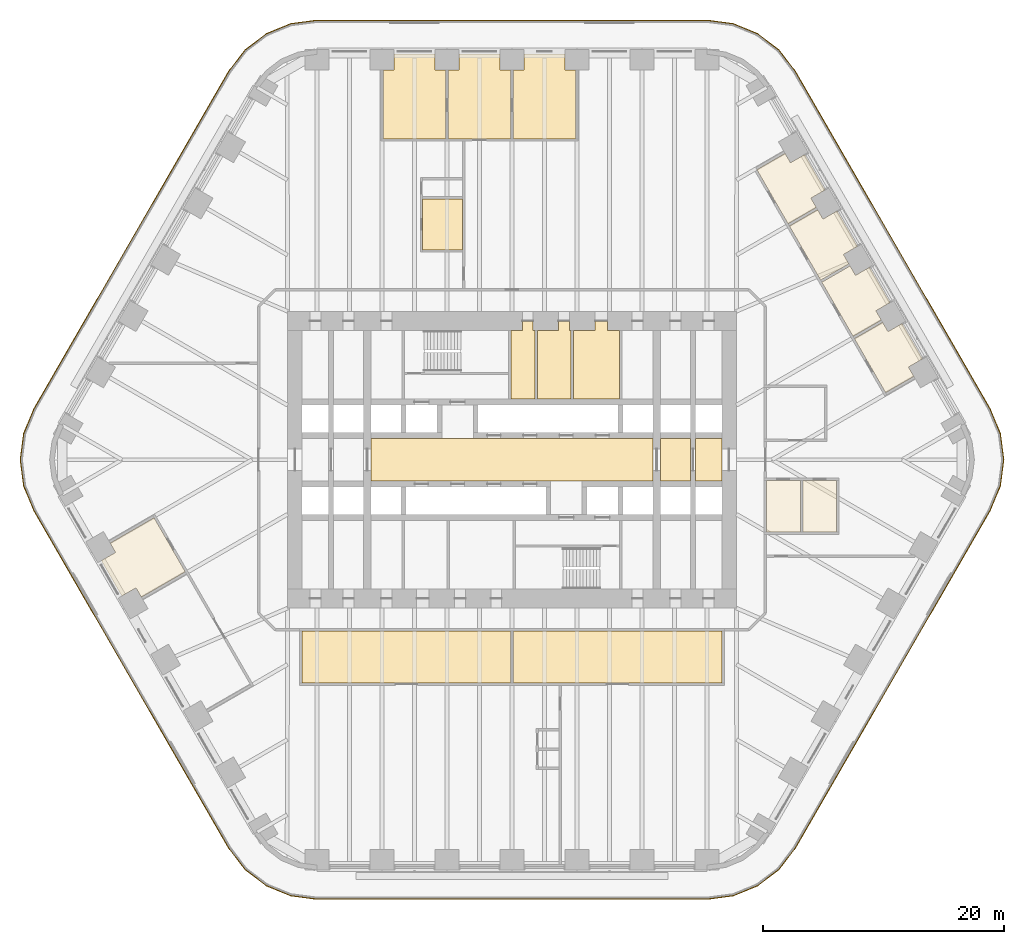
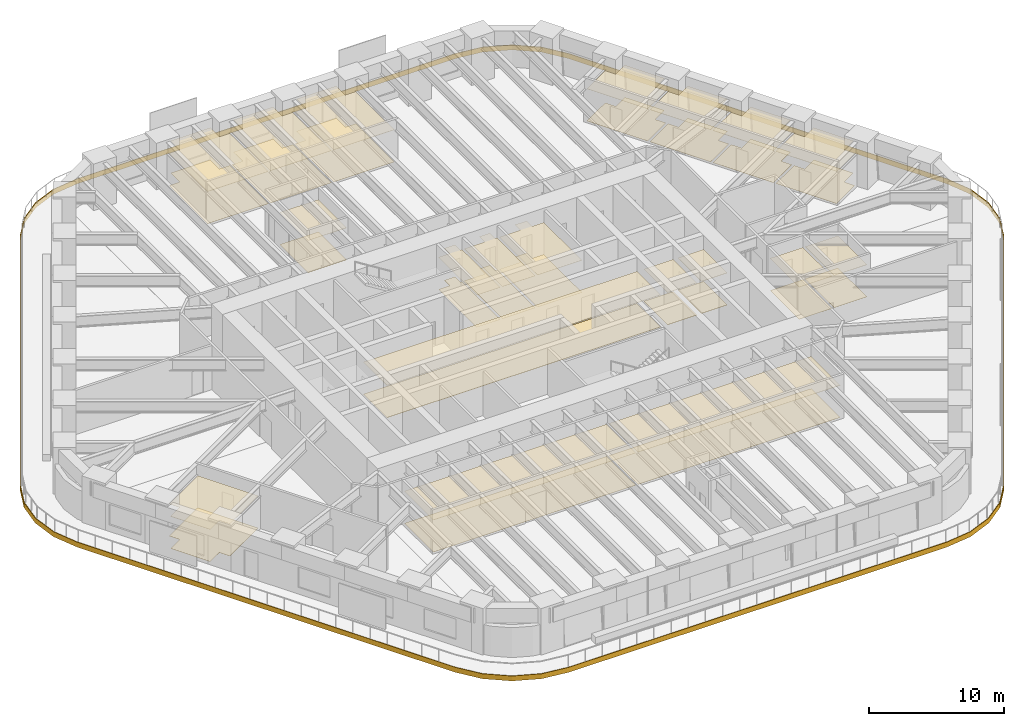
# One storey, part 23 of 24: 15 coverings.
"""IFC4 building model written with IfcOpenShell, lengths in metres."""

from ifc_helpers import new_model, si_unit, direction, frame, origin, place, context, subcontext, project, spatial, polyline, outline, extrude, material, layer, layer_set, type_object, element, save


model = new_model("IFC4")

# Units and contexts
model_context = context("Model", 3, precision=1e-05, world=origin(), true_north=direction((0.0, 1.0)))
body_context = subcontext(model_context, "Body", "Model", "MODEL_VIEW")
ifc_project = project(units=[si_unit("LENGTHUNIT", "METRE"), si_unit("AREAUNIT", "SQUARE_METRE"), si_unit("VOLUMEUNIT", "CUBIC_METRE"), si_unit("PLANEANGLEUNIT", "RADIAN"), si_unit("MASSUNIT", "GRAM", prefix="KILO")], contexts=[model_context])

# Site, building, storey
site_placement = place(None, origin())
site = spatial("IfcSite", under=ifc_project, at=site_placement, CompositionType="ELEMENT")
building_placement = place(site_placement, origin())
building = spatial("IfcBuilding", under=site, at=building_placement, Name="Tarfa Lantern Tower", CompositionType="ELEMENT")
storey_placement = place(building_placement, frame((0.0, 0.0, 65.5)))
storey = spatial("IfcBuildingStorey", under=building, at=storey_placement, Name="L14", CompositionType="ELEMENT", Elevation=65.5)

# Coverings
ifc_material_1 = material(Name="Mineral fibre acoustic tile on suspension grid", Category="finish")
ifc_layer_1 = layer(ifc_material_1, 0.02001953125)
ifc_layer_set_1 = layer_set([ifc_layer_1], Name="CL1 ACOUSTIC TILE CEILING 20")
covering_type_1 = type_object("IfcCoveringType", Name="CL1 ACOUSTIC TILE CEILING 20", PredefinedType="CEILING", material=ifc_layer_set_1)
covering_1_placement = place(storey_placement, frame((0.0, 0.0, 2.89990234375)))
element("IfcCovering", 1, at=covering_1_placement, inside=storey, type_object=covering_type_1, Name="Ceiling L14 CL1", PredefinedType="CEILING", context=body_context, shape_type="SweptSolid", body=[
    extrude(outline(polyline([(0.10009765625, -14.199951171875), (17.39990234375, -14.199951171875), (17.39990234375, -18.5), (0.10009765625, -18.5), (0.10009765625, -14.199951171875)])), origin(), (0.0, 0.0, 1.0), 0.02001953125),
    extrude(outline(polyline([(-17.39990234375, -14.199951171875), (-0.10009765625, -14.199951171875), (-0.10009765625, -18.5), (-17.39990234375, -18.5), (-17.39990234375, -14.199951171875)])), origin(), (0.0, 0.0, 1.0), 0.02001953125),
    extrude(outline(polyline([(5.28857421875, 26.60009765625), (0.10009765625, 26.60009765625), (0.10009765625, 32.300048828125), (1.0, 32.300048828125), (1.0, 33.64990234375), (4.388671875, 33.64990234375), (4.388671875, 32.300048828125), (5.28857421875, 32.300048828125), (5.28857421875, 26.60009765625)])), origin(), (0.0, 0.0, 1.0), 0.02001953125),
    extrude(outline(polyline([(-0.10009765625, 26.60009765625), (-5.28857421875, 26.60009765625), (-5.28857421875, 32.300048828125), (-4.388671875, 32.300048828125), (-4.388671875, 33.64990234375), (-1.0, 33.64990234375), (-1.0, 32.300048828125), (-0.10009765625, 32.300048828125), (-0.10009765625, 26.60009765625)])), origin(), (0.0, 0.0, 1.0), 0.02001953125),
    extrude(outline(polyline([(-5.488525390625, 26.60009765625), (-10.67724609375, 26.60009765625), (-10.67724609375, 32.300048828125), (-9.777099609375, 32.300048828125), (-9.777099609375, 33.64990234375), (-6.388671875, 33.64990234375), (-6.388671875, 32.300048828125), (-5.488525390625, 32.300048828125), (-5.488525390625, 26.60009765625)])), origin(), (0.0, 0.0, 1.0), 0.02001953125),
    extrude(outline(polyline([(28.378662109375, 10.046630859375), (30.717041015625, 11.396728515625), (31.1669921875, 10.6171875), (32.3359375, 11.292236328125), (34.0302734375, 8.357666015625), (32.861328125, 7.6826171875), (33.311279296875, 6.9033203125), (30.972900390625, 5.55322265625), (28.378662109375, 10.046630859375)])), origin(), (0.0, 0.0, 1.0), 0.02001953125),
    extrude(outline(polyline([(25.684326171875, 14.71337890625), (28.022705078125, 16.0634765625), (28.47265625, 15.283935546875), (29.641845703125, 15.958984375), (31.3359375, 13.0244140625), (30.1669921875, 12.349365234375), (30.616943359375, 11.56982421875), (28.278564453125, 10.219970703125), (25.684326171875, 14.71337890625)])), origin(), (0.0, 0.0, 1.0), 0.02001953125),
    extrude(outline(polyline([(22.989990234375, 19.380126953125), (25.328369140625, 20.72998046875), (25.7783203125, 19.95068359375), (26.947509765625, 20.625732421875), (28.641845703125, 17.69091796875), (27.47265625, 17.01611328125), (27.922607421875, 16.236572265625), (25.58447265625, 14.88671875), (22.989990234375, 19.380126953125)])), origin(), (0.0, 0.0, 1.0), 0.02001953125),
    extrude(outline(polyline([(20.295654296875, 24.046630859375), (22.634033203125, 25.396728515625), (23.083984375, 24.6171875), (24.253173828125, 25.292236328125), (25.947509765625, 22.357666015625), (24.7783203125, 21.6826171875), (25.228271484375, 20.9033203125), (22.89013671875, 19.55322265625), (20.295654296875, 24.046630859375)])), origin(), (0.0, 0.0, 1.0), 0.02001953125),
    extrude(outline(polyline([(-27.07958984375, -9.296630859375), (-30.717041015625, -11.396728515625), (-31.1669921875, -10.6171875), (-32.3359375, -11.292236328125), (-34.0302734375, -8.357666015625), (-32.861328125, -7.6826171875), (-33.311279296875, -6.9033203125), (-29.673828125, -4.80322265625), (-27.07958984375, -9.296630859375)])), origin(), (0.0, 0.0, 1.0), 0.02001953125),
    extrude(outline(polyline([(21.10009765625, -1.699951171875), (23.89990234375, -1.699951171875), (23.89990234375, -6.0), (21.10009765625, -6.0), (21.10009765625, -1.699951171875)])), origin(), (0.0, 0.0, 1.0), 0.02001953125),
    extrude(outline(polyline([(24.10009765625, -1.699951171875), (26.89990234375, -1.699951171875), (26.89990234375, -6.0), (24.10009765625, -6.0), (24.10009765625, -1.699951171875)])), origin(), (0.0, 0.0, 1.0), 0.02001953125),
    extrude(outline(polyline([(-7.39990234375, 21.60009765625), (-4.10009765625, 21.60009765625), (-4.10009765625, 17.39990234375), (-7.39990234375, 17.39990234375), (-7.39990234375, 21.60009765625)])), origin(), (0.0, 0.0, 1.0), 0.02001953125),
])
ifc_material_2 = material(Name="Moisture-resistant plasterboard", Category="finish")
ifc_layer_2 = layer(ifc_material_2, 0.014892578125)
ifc_layer_set_2 = layer_set([ifc_layer_2], Name="CL2 MOISTURE-RESISTANT PLASTERBOARD CEILING 15")
covering_type_2 = type_object("IfcCoveringType", Name="CL2 MOISTURE-RESISTANT PLASTERBOARD CEILING 15", PredefinedType="CEILING", material=ifc_layer_set_2)
covering_2_placement = place(storey_placement, frame((0.0, 0.0, 2.89990234375)))
element("IfcCovering", 2, at=covering_2_placement, inside=storey, type_object=covering_type_2, Name="Ceiling L14-09", PredefinedType="CEILING", context=body_context, shape_type="SweptSolid", body=[
    extrude(outline(polyline([(0.85009765625, 10.699951171875), (-0.10009765625, 10.699951171875), (-0.10009765625, 5.050048828125), (1.89990234375, 5.050048828125), (1.89990234375, 10.699951171875), (1.75, 10.699951171875), (1.75, 11.5), (1.75, 11.5), (0.85009765625, 11.5), (0.85009765625, 10.699951171875)])), origin(), (0.0, 0.0, 1.0), 0.01513671875),
])
covering_3_placement = place(storey_placement, frame((0.0, 0.0, 2.89990234375)))
element("IfcCovering", 3, at=covering_3_placement, inside=storey, type_object=covering_type_2, Name="Ceiling L14-10", PredefinedType="CEILING", context=body_context, shape_type="SweptSolid", body=[
    extrude(outline(polyline([(2.10009765625, 5.050048828125), (4.89990234375, 5.050048828125), (4.89990234375, 10.699951171875), (4.75, 10.699951171875), (4.75, 11.5), (3.85009765625, 11.5), (3.85009765625, 10.699951171875), (2.10009765625, 10.699951171875), (2.10009765625, 5.050048828125)])), origin(), (0.0, 0.0, 1.0), 0.01513671875),
])
covering_4_placement = place(storey_placement, frame((0.0, 0.0, 2.89990234375)))
element("IfcCovering", 4, at=covering_4_placement, inside=storey, type_object=covering_type_2, Name="Ceiling L14-11", PredefinedType="CEILING", context=body_context, shape_type="SweptSolid", body=[
    extrude(outline(polyline([(5.10009765625, 5.050048828125), (8.89990234375, 5.050048828125), (8.89990234375, 10.699951171875), (7.89990234375, 10.699951171875), (7.89990234375, 11.5), (6.89990234375, 11.5), (6.89990234375, 10.699951171875), (5.10009765625, 10.699951171875), (5.10009765625, 5.050048828125)])), origin(), (0.0, 0.0, 1.0), 0.01513671875),
])
ifc_material_3 = material(Name="Powder-coated aluminium panel", Category="aluminium")
ifc_layer_3 = layer(ifc_material_3, 0.030029296875)
ifc_layer_set_3 = layer_set([ifc_layer_3], Name="CL3 METAL PANEL CEILING 30")
covering_type_3 = type_object("IfcCoveringType", Name="CL3 METAL PANEL CEILING 30", PredefinedType="CEILING", material=ifc_layer_set_3)
covering_5_placement = place(storey_placement, frame((0.0, 0.0, 2.89990234375)))
element("IfcCovering", 5, at=covering_5_placement, inside=storey, type_object=covering_type_3, Name="Ceiling L14-03", PredefinedType="CEILING", context=body_context, shape_type="SweptSolid", body=[
    extrude(outline(polyline([(-11.699951171875, -1.75), (11.699951171875, -1.75), (11.699951171875, 1.75), (-11.699951171875, 1.75), (-11.699951171875, -1.75)])), origin(), (0.0, 0.0, 1.0), 0.030029296875),
])
covering_6_placement = place(storey_placement, frame((0.0, 0.0, 2.89990234375)))
element("IfcCovering", 6, at=covering_6_placement, inside=storey, type_object=covering_type_3, Name="Ceiling L14-04", PredefinedType="CEILING", context=body_context, shape_type="SweptSolid", body=[
    extrude(outline(polyline([(12.300048828125, -1.75), (14.800048828125, -1.75), (14.800048828125, 1.75), (12.300048828125, 1.75), (12.300048828125, -1.75)])), origin(), (0.0, 0.0, 1.0), 0.030029296875),
])
covering_7_placement = place(storey_placement, frame((0.0, 0.0, 2.89990234375)))
element("IfcCovering", 7, at=covering_7_placement, inside=storey, type_object=covering_type_3, Name="Ceiling L14-05", PredefinedType="CEILING", context=body_context, shape_type="SweptSolid", body=[
    extrude(outline(polyline([(15.199951171875, -1.75), (17.39990234375, -1.75), (17.39990234375, 1.75), (15.199951171875, 1.75), (15.199951171875, -1.75)])), origin(), (0.0, 0.0, 1.0), 0.030029296875),
])
ifc_material_4 = material(Name="Nylon carpet tile", Category="finish")
ifc_layer_4 = layer(ifc_material_4, 0.010009765625)
ifc_layer_set_4 = layer_set([ifc_layer_4], Name="FL1 CARPET TILE 10")
covering_type_4 = type_object("IfcCoveringType", Name="FL1 CARPET TILE 10", PredefinedType="FLOORING", material=ifc_layer_set_4)
covering_8_placement = place(storey_placement, origin())
element("IfcCovering", 8, at=covering_8_placement, inside=storey, type_object=covering_type_4, Name="Floor finish L14 FL1", PredefinedType="FLOORING", context=body_context, shape_type="SweptSolid", body=[
    extrude(outline(polyline([(0.10009765625, -14.199951171875), (17.39990234375, -14.199951171875), (17.39990234375, -18.5), (0.10009765625, -18.5), (0.10009765625, -14.199951171875)])), origin(), (0.0, 0.0, 1.0), 0.010009765625),
    extrude(outline(polyline([(-17.39990234375, -14.199951171875), (-0.10009765625, -14.199951171875), (-0.10009765625, -18.5), (-17.39990234375, -18.5), (-17.39990234375, -14.199951171875)])), origin(), (0.0, 0.0, 1.0), 0.010009765625),
    extrude(outline(polyline([(5.28857421875, 26.60009765625), (0.10009765625, 26.60009765625), (0.10009765625, 32.300048828125), (1.0, 32.300048828125), (1.0, 33.64990234375), (4.388671875, 33.64990234375), (4.388671875, 32.300048828125), (5.28857421875, 32.300048828125), (5.28857421875, 26.60009765625)])), origin(), (0.0, 0.0, 1.0), 0.010009765625),
    extrude(outline(polyline([(-0.10009765625, 26.60009765625), (-5.28857421875, 26.60009765625), (-5.28857421875, 32.300048828125), (-4.388671875, 32.300048828125), (-4.388671875, 33.64990234375), (-1.0, 33.64990234375), (-1.0, 32.300048828125), (-0.10009765625, 32.300048828125), (-0.10009765625, 26.60009765625)])), origin(), (0.0, 0.0, 1.0), 0.010009765625),
    extrude(outline(polyline([(-5.488525390625, 26.60009765625), (-10.67724609375, 26.60009765625), (-10.67724609375, 32.300048828125), (-9.777099609375, 32.300048828125), (-9.777099609375, 33.64990234375), (-6.388671875, 33.64990234375), (-6.388671875, 32.300048828125), (-5.488525390625, 32.300048828125), (-5.488525390625, 26.60009765625)])), origin(), (0.0, 0.0, 1.0), 0.010009765625),
    extrude(outline(polyline([(28.378662109375, 10.046630859375), (30.717041015625, 11.396728515625), (31.1669921875, 10.6171875), (32.3359375, 11.292236328125), (34.0302734375, 8.357666015625), (32.861328125, 7.6826171875), (33.311279296875, 6.9033203125), (30.972900390625, 5.55322265625), (28.378662109375, 10.046630859375)])), origin(), (0.0, 0.0, 1.0), 0.010009765625),
    extrude(outline(polyline([(25.684326171875, 14.71337890625), (28.022705078125, 16.0634765625), (28.47265625, 15.283935546875), (29.641845703125, 15.958984375), (31.3359375, 13.0244140625), (30.1669921875, 12.349365234375), (30.616943359375, 11.56982421875), (28.278564453125, 10.219970703125), (25.684326171875, 14.71337890625)])), origin(), (0.0, 0.0, 1.0), 0.010009765625),
    extrude(outline(polyline([(22.989990234375, 19.380126953125), (25.328369140625, 20.72998046875), (25.7783203125, 19.95068359375), (26.947509765625, 20.625732421875), (28.641845703125, 17.69091796875), (27.47265625, 17.01611328125), (27.922607421875, 16.236572265625), (25.58447265625, 14.88671875), (22.989990234375, 19.380126953125)])), origin(), (0.0, 0.0, 1.0), 0.010009765625),
    extrude(outline(polyline([(20.295654296875, 24.046630859375), (22.634033203125, 25.396728515625), (23.083984375, 24.6171875), (24.253173828125, 25.292236328125), (25.947509765625, 22.357666015625), (24.7783203125, 21.6826171875), (25.228271484375, 20.9033203125), (22.89013671875, 19.55322265625), (20.295654296875, 24.046630859375)])), origin(), (0.0, 0.0, 1.0), 0.010009765625),
    extrude(outline(polyline([(-27.07958984375, -9.296630859375), (-30.717041015625, -11.396728515625), (-31.1669921875, -10.6171875), (-32.3359375, -11.292236328125), (-34.0302734375, -8.357666015625), (-32.861328125, -7.6826171875), (-33.311279296875, -6.9033203125), (-29.673828125, -4.80322265625), (-27.07958984375, -9.296630859375)])), origin(), (0.0, 0.0, 1.0), 0.010009765625),
    extrude(outline(polyline([(21.10009765625, -1.699951171875), (23.89990234375, -1.699951171875), (23.89990234375, -6.0), (21.10009765625, -6.0), (21.10009765625, -1.699951171875)])), origin(), (0.0, 0.0, 1.0), 0.010009765625),
    extrude(outline(polyline([(24.10009765625, -1.699951171875), (26.89990234375, -1.699951171875), (26.89990234375, -6.0), (24.10009765625, -6.0), (24.10009765625, -1.699951171875)])), origin(), (0.0, 0.0, 1.0), 0.010009765625),
    extrude(outline(polyline([(-7.39990234375, 21.60009765625), (-4.10009765625, 21.60009765625), (-4.10009765625, 17.39990234375), (-7.39990234375, 17.39990234375), (-7.39990234375, 21.60009765625)])), origin(), (0.0, 0.0, 1.0), 0.010009765625),
])
ifc_material_5 = material(Name="Honed limestone flooring", Category="masonry")
ifc_layer_5 = layer(ifc_material_5, 0.030029296875)
ifc_layer_set_5 = layer_set([ifc_layer_5], Name="FL2 STONE FLOORING 30")
covering_type_5 = type_object("IfcCoveringType", Name="FL2 STONE FLOORING 30", PredefinedType="FLOORING", material=ifc_layer_set_5)
covering_9_placement = place(storey_placement, origin())
element("IfcCovering", 9, at=covering_9_placement, inside=storey, type_object=covering_type_5, Name="Floor finish L14-03", PredefinedType="FLOORING", context=body_context, shape_type="SweptSolid", body=[
    extrude(outline(polyline([(-11.699951171875, -1.75), (11.699951171875, -1.75), (11.699951171875, 1.75), (-11.699951171875, 1.75), (-11.699951171875, -1.75)])), origin(), (0.0, 0.0, 1.0), 0.030029296875),
])
covering_10_placement = place(storey_placement, origin())
element("IfcCovering", 10, at=covering_10_placement, inside=storey, type_object=covering_type_5, Name="Floor finish L14-04", PredefinedType="FLOORING", context=body_context, shape_type="SweptSolid", body=[
    extrude(outline(polyline([(12.300048828125, -1.75), (14.800048828125, -1.75), (14.800048828125, 1.75), (12.300048828125, 1.75), (12.300048828125, -1.75)])), origin(), (0.0, 0.0, 1.0), 0.030029296875),
])
covering_11_placement = place(storey_placement, origin())
element("IfcCovering", 11, at=covering_11_placement, inside=storey, type_object=covering_type_5, Name="Floor finish L14-05", PredefinedType="FLOORING", context=body_context, shape_type="SweptSolid", body=[
    extrude(outline(polyline([(15.199951171875, -1.75), (17.39990234375, -1.75), (17.39990234375, 1.75), (15.199951171875, 1.75), (15.199951171875, -1.75)])), origin(), (0.0, 0.0, 1.0), 0.030029296875),
])
ifc_material_6 = material(Name="Porcelain floor tile", Category="finish")
ifc_layer_6 = layer(ifc_material_6, 0.011962890625)
ifc_layer_set_6 = layer_set([ifc_layer_6], Name="FL3 CERAMIC TILE 12")
covering_type_6 = type_object("IfcCoveringType", Name="FL3 CERAMIC TILE 12", PredefinedType="FLOORING", material=ifc_layer_set_6)
covering_12_placement = place(storey_placement, origin())
element("IfcCovering", 12, at=covering_12_placement, inside=storey, type_object=covering_type_6, Name="Floor finish L14-09", PredefinedType="FLOORING", context=body_context, shape_type="SweptSolid", body=[
    extrude(outline(polyline([(0.85009765625, 10.699951171875), (-0.10009765625, 10.699951171875), (-0.10009765625, 5.050048828125), (1.89990234375, 5.050048828125), (1.89990234375, 10.699951171875), (1.75, 10.699951171875), (1.75, 11.5), (1.75, 11.5), (0.85009765625, 11.5), (0.85009765625, 10.699951171875)])), origin(), (0.0, 0.0, 1.0), 0.011962890625),
])
covering_13_placement = place(storey_placement, origin())
element("IfcCovering", 13, at=covering_13_placement, inside=storey, type_object=covering_type_6, Name="Floor finish L14-10", PredefinedType="FLOORING", context=body_context, shape_type="SweptSolid", body=[
    extrude(outline(polyline([(2.10009765625, 5.050048828125), (4.89990234375, 5.050048828125), (4.89990234375, 10.699951171875), (4.75, 10.699951171875), (4.75, 11.5), (3.85009765625, 11.5), (3.85009765625, 10.699951171875), (2.10009765625, 10.699951171875), (2.10009765625, 5.050048828125)])), origin(), (0.0, 0.0, 1.0), 0.011962890625),
])
covering_14_placement = place(storey_placement, origin())
element("IfcCovering", 14, at=covering_14_placement, inside=storey, type_object=covering_type_6, Name="Floor finish L14-11", PredefinedType="FLOORING", context=body_context, shape_type="SweptSolid", body=[
    extrude(outline(polyline([(5.10009765625, 5.050048828125), (8.89990234375, 5.050048828125), (8.89990234375, 10.699951171875), (7.89990234375, 10.699951171875), (7.89990234375, 11.5), (6.89990234375, 11.5), (6.89990234375, 10.699951171875), (5.10009765625, 10.699951171875), (5.10009765625, 5.050048828125)])), origin(), (0.0, 0.0, 1.0), 0.011962890625),
])
ifc_material_7 = material(Name="Limestone cladding on brackets", Category="masonry")
ifc_layer_7 = layer(ifc_material_7, 0.050048828125)
ifc_layer_set_7 = layer_set([ifc_layer_7], Name="SB1 STONE BAND CLADDING 50")
covering_type_7 = type_object("IfcCoveringType", Name="SB1 STONE BAND CLADDING 50", PredefinedType="CLADDING", material=ifc_layer_set_7)
covering_15_placement = place(storey_placement, frame((0.0, 0.0, -0.39990234375)))
element("IfcCovering", 15, at=covering_15_placement, inside=storey, type_object=covering_type_7, Name="Stone band", PredefinedType="CLADDING", context=body_context, shape_type="SweptSolid", body=[
    extrude(outline(polyline([(39.6494140625, 4.22509765625), (23.483642578125, 32.22509765625), (22.140869140625, 33.97509765625), (20.390869140625, 35.31787109375), (18.352783203125, 36.162109375), (16.165771484375, 36.449951171875), (-16.165771484375, 36.449951171875), (-18.352783203125, 36.162109375), (-20.390869140625, 35.31787109375), (-22.140869140625, 33.97509765625), (-23.483642578125, 32.22509765625), (-39.6494140625, 4.22509765625), (-40.49365234375, 2.18701171875), (-40.781494140625, 0.0), (-40.49365234375, -2.18701171875), (-39.6494140625, -4.22509765625), (-23.483642578125, -32.22509765625), (-22.140869140625, -33.97509765625), (-20.390869140625, -35.31787109375), (-18.352783203125, -36.162109375), (-16.165771484375, -36.449951171875), (16.165771484375, -36.449951171875), (18.352783203125, -36.162109375), (20.390869140625, -35.31787109375), (22.140869140625, -33.97509765625), (23.483642578125, -32.22509765625), (39.6494140625, -4.22509765625), (40.49365234375, -2.18701171875), (40.781494140625, 0.0), (40.49365234375, 2.18701171875), (39.6494140625, 4.22509765625)]), holes=[polyline([(39.606201171875, 4.199951171875), (23.4404296875, 32.199951171875), (22.10546875, 33.939697265625), (20.36572265625, 35.274658203125), (18.33984375, 36.11376953125), (16.165771484375, 36.39990234375), (-16.165771484375, 36.39990234375), (-18.33984375, 36.11376953125), (-20.36572265625, 35.274658203125), (-22.10546875, 33.939697265625), (-23.4404296875, 32.199951171875), (-39.606201171875, 4.199951171875), (-40.4453125, 2.174072265625), (-40.731689453125, 0.0), (-40.4453125, -2.174072265625), (-39.606201171875, -4.199951171875), (-23.4404296875, -32.199951171875), (-22.10546875, -33.939697265625), (-20.36572265625, -35.274658203125), (-18.33984375, -36.11376953125), (-16.165771484375, -36.39990234375), (16.165771484375, -36.39990234375), (18.33984375, -36.11376953125), (20.36572265625, -35.274658203125), (22.10546875, -33.939697265625), (23.4404296875, -32.199951171875), (39.606201171875, -4.199951171875), (40.4453125, -2.174072265625), (40.731689453125, 0.0), (40.4453125, 2.174072265625), (39.606201171875, 4.199951171875)])]), origin(), (0.0, 0.0, 1.0), 0.449951171875),
])

save(model, "model.ifc")
